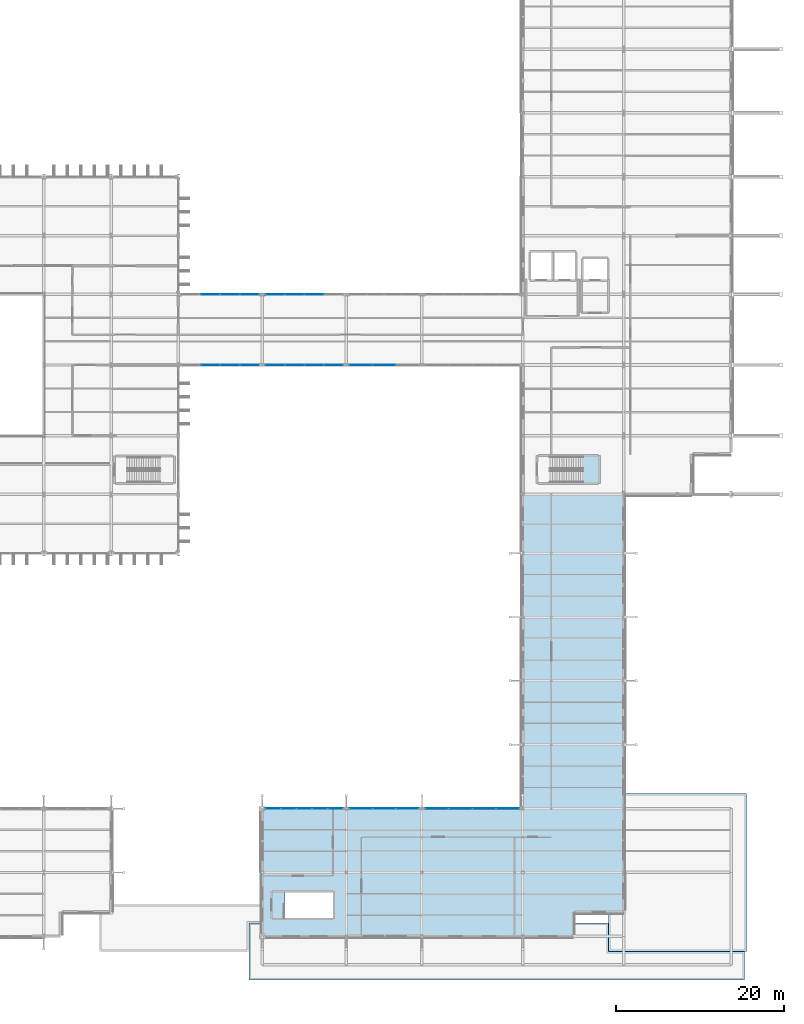
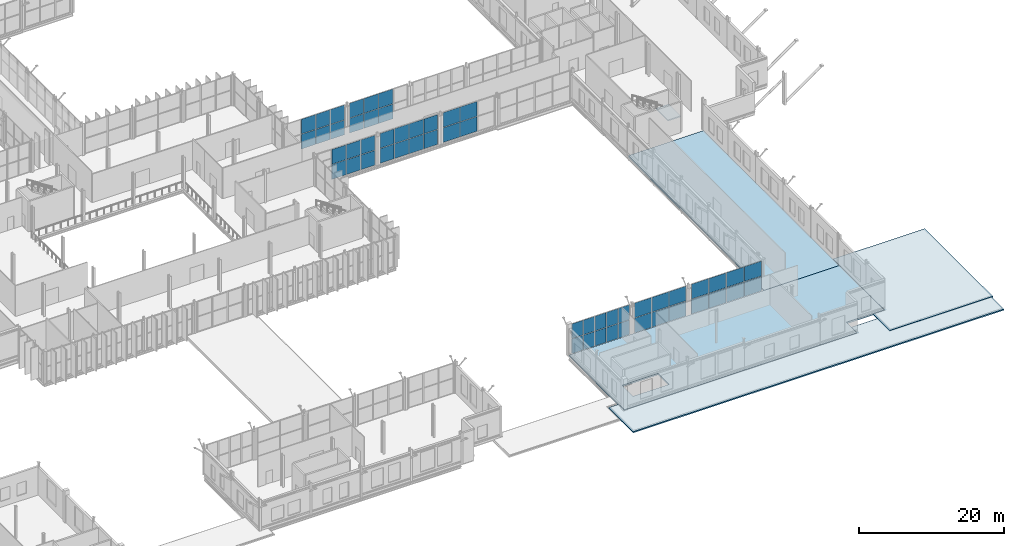
# One storey, part 105 of 147: 54 plates, 5 slabs, 9 elements without a shape of their own.
"""IFC4 building model written with IfcOpenShell, lengths in metres."""

from ifc_helpers import new_model, si_unit, direction, frame, origin, origin_2d, place, context, subcontext, project, spatial, polyline, rectangle, outline, extrude, material, layer, layer_set, type_object, element, aggregate, save


model = new_model("IFC4")

# Units and contexts
model_context = context("Model", 3, precision=1e-05, world=origin(), true_north=direction((0.0, 1.0)))
body_context = subcontext(model_context, "Body", "Model", "MODEL_VIEW")
ifc_project = project(units=[si_unit("LENGTHUNIT", "METRE"), si_unit("AREAUNIT", "SQUARE_METRE"), si_unit("VOLUMEUNIT", "CUBIC_METRE"), si_unit("PLANEANGLEUNIT", "RADIAN"), si_unit("MASSUNIT", "GRAM", prefix="KILO")], contexts=[model_context])

# Site, building, storey
site_placement = place(None, origin())
site = spatial("IfcSite", under=ifc_project, at=site_placement, CompositionType="ELEMENT")
building_placement = place(site_placement, origin())
building = spatial("IfcBuilding", under=site, at=building_placement, Name="Vekula Escarpment Museum", CompositionType="ELEMENT")
storey_placement = place(building_placement, frame((0.0, 0.0, 7.800048828125)))
storey = spatial("IfcBuildingStorey", under=building, at=storey_placement, Name="L02", CompositionType="ELEMENT", Elevation=7.800048828125)

# Curtain wall, plates
ifc_material_1 = material(Name="Aluminium thermally broken framing", Category="aluminium")
ifc_layer_1 = layer(ifc_material_1, 0.199951171875)
ifc_layer_set_1 = layer_set([ifc_layer_1], Name="Aluminium thermally broken framing")
curtain_wall_type_1 = type_object("IfcCurtainWallType", Name="CW-SYS-04", PredefinedType="NOTDEFINED", material=ifc_layer_set_1)
curtain_wall_1_placement = place(storey_placement, origin())
curtain_wall_1 = element("IfcCurtainWall", 1, at=curtain_wall_1_placement, inside=storey, type_object=curtain_wall_type_1, Name="Curtain Wall CW-L02-064", PredefinedType="NOTDEFINED")
ifc_material_2 = material(Name="Double solar-control low-E glass", Category="glass")
ifc_layer_2 = layer(ifc_material_2, 0.028076171875)
ifc_layer_set_2 = layer_set([ifc_layer_2], Name="Double solar-control low-E glass")
plate_type_1 = type_object("IfcPlateType", Name="CW-PNL-28", PredefinedType="CURTAIN_PANEL", material=ifc_layer_set_2)
plate_1_placement = place(storey_placement, frame((137.5361328125, 68.0, 0.06494140625), z_axis=(0.0, 0.0, 1.0), x_axis=(1.0, 0.0, 0.0)))
plate_1 = element("IfcPlate", 2, at=plate_1_placement, type_object=plate_type_1, Name="CW-04 panel 1.1", PredefinedType="CURTAIN_PANEL", context=body_context, shape_type="SweptSolid", body=[
    extrude(rectangle(XDim=2.222412109375, YDim=0.028076171875, at=origin_2d()), origin(), (0.0, 0.0, 1.0), 2.4775390625),
])
plate_2_placement = place(storey_placement, frame((137.5361328125, 68.0, 2.607421875), z_axis=(0.0, 0.0, 1.0), x_axis=(1.0, 0.0, 0.0)))
plate_2 = element("IfcPlate", 3, at=plate_2_placement, type_object=plate_type_1, Name="CW-04 panel 1.2", PredefinedType="CURTAIN_PANEL", context=body_context, shape_type="SweptSolid", body=[
    extrude(rectangle(XDim=2.222412109375, YDim=0.028076171875, at=origin_2d()), origin(), (0.0, 0.0, 1.0), 2.4775390625),
])
plate_3_placement = place(storey_placement, frame((139.840087890625, 68.0, 0.06494140625), z_axis=(0.0, 0.0, 1.0), x_axis=(1.0, 0.0, 0.0)))
plate_3 = element("IfcPlate", 4, at=plate_3_placement, type_object=plate_type_1, Name="CW-04 panel 2.1", PredefinedType="CURTAIN_PANEL", context=body_context, shape_type="SweptSolid", body=[
    extrude(rectangle(XDim=2.2548828125, YDim=0.028076171875, at=origin_2d()), origin(), (0.0, 0.0, 1.0), 2.4775390625),
])
plate_4_placement = place(storey_placement, frame((139.840087890625, 68.0, 2.607421875), z_axis=(0.0, 0.0, 1.0), x_axis=(1.0, 0.0, 0.0)))
plate_4 = element("IfcPlate", 5, at=plate_4_placement, type_object=plate_type_1, Name="CW-04 panel 2.2", PredefinedType="CURTAIN_PANEL", context=body_context, shape_type="SweptSolid", body=[
    extrude(rectangle(XDim=2.2548828125, YDim=0.028076171875, at=origin_2d()), origin(), (0.0, 0.0, 1.0), 2.4775390625),
])
plate_5_placement = place(storey_placement, frame((142.159912109375, 68.0, 0.06494140625), z_axis=(0.0, 0.0, 1.0), x_axis=(1.0, 0.0, 0.0)))
plate_5 = element("IfcPlate", 6, at=plate_5_placement, type_object=plate_type_1, Name="CW-04 panel 3.1", PredefinedType="CURTAIN_PANEL", context=body_context, shape_type="SweptSolid", body=[
    extrude(rectangle(XDim=2.2548828125, YDim=0.028076171875, at=origin_2d()), origin(), (0.0, 0.0, 1.0), 2.4775390625),
])
plate_6_placement = place(storey_placement, frame((142.159912109375, 68.0, 2.607421875), z_axis=(0.0, 0.0, 1.0), x_axis=(1.0, 0.0, 0.0)))
plate_6 = element("IfcPlate", 7, at=plate_6_placement, type_object=plate_type_1, Name="CW-04 panel 3.2", PredefinedType="CURTAIN_PANEL", context=body_context, shape_type="SweptSolid", body=[
    extrude(rectangle(XDim=2.2548828125, YDim=0.028076171875, at=origin_2d()), origin(), (0.0, 0.0, 1.0), 2.4775390625),
])
plate_7_placement = place(storey_placement, frame((144.4638671875, 68.0, 0.06494140625), z_axis=(0.0, 0.0, 1.0), x_axis=(1.0, 0.0, 0.0)))
plate_7 = element("IfcPlate", 8, at=plate_7_placement, type_object=plate_type_1, Name="CW-04 panel 4.1", PredefinedType="CURTAIN_PANEL", context=body_context, shape_type="SweptSolid", body=[
    extrude(rectangle(XDim=2.222412109375, YDim=0.028076171875, at=origin_2d()), origin(), (0.0, 0.0, 1.0), 2.4775390625),
])
plate_8_placement = place(storey_placement, frame((144.4638671875, 68.0, 2.607421875), z_axis=(0.0, 0.0, 1.0), x_axis=(1.0, 0.0, 0.0)))
plate_8 = element("IfcPlate", 9, at=plate_8_placement, type_object=plate_type_1, Name="CW-04 panel 4.2", PredefinedType="CURTAIN_PANEL", context=body_context, shape_type="SweptSolid", body=[
    extrude(rectangle(XDim=2.222412109375, YDim=0.028076171875, at=origin_2d()), origin(), (0.0, 0.0, 1.0), 2.4775390625),
])
aggregate(curtain_wall_1, [plate_1, plate_2, plate_3, plate_4, plate_5, plate_6, plate_7, plate_8])

ifc_material_3 = material(Name="Aluminium thermally broken framing", Category="aluminium")
ifc_layer_3 = layer(ifc_material_3, 0.179931640625)
ifc_layer_set_3 = layer_set([ifc_layer_3], Name="Aluminium thermally broken framing")
curtain_wall_type_2 = type_object("IfcCurtainWallType", Name="CW-SYS-08", PredefinedType="NOTDEFINED", material=ifc_layer_set_3)
curtain_wall_2_placement = place(storey_placement, origin())
curtain_wall_2 = element("IfcCurtainWall", 10, at=curtain_wall_2_placement, inside=storey, type_object=curtain_wall_type_2, Name="Curtain Wall CW-L02-068", PredefinedType="NOTDEFINED")
plate_9_placement = place(storey_placement, frame((153.24365234375, 15.199951171875, 0.06494140625), z_axis=(0.0, 0.0, 1.0), x_axis=(-1.0, 0.0, 0.0)))
plate_9 = element("IfcPlate", 11, at=plate_9_placement, type_object=plate_type_1, Name="CW-08 panel 1.1", PredefinedType="CURTAIN_PANEL", context=body_context, shape_type="SweptSolid", body=[
    extrude(rectangle(XDim=2.66259765625, YDim=0.028076171875, at=origin_2d()), origin(), (0.0, 0.0, 1.0), 2.4775390625),
])
plate_10_placement = place(storey_placement, frame((153.24365234375, 15.199951171875, 2.607421875), z_axis=(0.0, 0.0, 1.0), x_axis=(-1.0, 0.0, 0.0)))
plate_10 = element("IfcPlate", 12, at=plate_10_placement, type_object=plate_type_1, Name="CW-08 panel 1.2", PredefinedType="CURTAIN_PANEL", context=body_context, shape_type="SweptSolid", body=[
    extrude(rectangle(XDim=2.66259765625, YDim=0.028076171875, at=origin_2d()), origin(), (0.0, 0.0, 1.0), 2.4775390625),
])
plate_11_placement = place(storey_placement, frame((150.5, 15.199951171875, 0.06494140625), z_axis=(0.0, 0.0, 1.0), x_axis=(-1.0, 0.0, 0.0)))
plate_11 = element("IfcPlate", 13, at=plate_11_placement, type_object=plate_type_1, Name="CW-08 panel 2.1", PredefinedType="CURTAIN_PANEL", context=body_context, shape_type="SweptSolid", body=[
    extrude(rectangle(XDim=2.695068359375, YDim=0.028076171875, at=origin_2d()), origin(), (0.0, 0.0, 1.0), 2.4775390625),
])
plate_12_placement = place(storey_placement, frame((150.5, 15.199951171875, 2.607421875), z_axis=(0.0, 0.0, 1.0), x_axis=(-1.0, 0.0, 0.0)))
plate_12 = element("IfcPlate", 14, at=plate_12_placement, type_object=plate_type_1, Name="CW-08 panel 2.2", PredefinedType="CURTAIN_PANEL", context=body_context, shape_type="SweptSolid", body=[
    extrude(rectangle(XDim=2.695068359375, YDim=0.028076171875, at=origin_2d()), origin(), (0.0, 0.0, 1.0), 2.4775390625),
])
plate_13_placement = place(storey_placement, frame((147.75634765625, 15.199951171875, 0.06494140625), z_axis=(0.0, 0.0, 1.0), x_axis=(-1.0, 0.0, 0.0)))
plate_13 = element("IfcPlate", 15, at=plate_13_placement, type_object=plate_type_1, Name="CW-08 panel 3.1", PredefinedType="CURTAIN_PANEL", context=body_context, shape_type="SweptSolid", body=[
    extrude(rectangle(XDim=2.66259765625, YDim=0.028076171875, at=origin_2d()), origin(), (0.0, 0.0, 1.0), 2.4775390625),
])
plate_14_placement = place(storey_placement, frame((147.75634765625, 15.199951171875, 2.607421875), z_axis=(0.0, 0.0, 1.0), x_axis=(-1.0, 0.0, 0.0)))
plate_14 = element("IfcPlate", 16, at=plate_14_placement, type_object=plate_type_1, Name="CW-08 panel 3.2", PredefinedType="CURTAIN_PANEL", context=body_context, shape_type="SweptSolid", body=[
    extrude(rectangle(XDim=2.66259765625, YDim=0.028076171875, at=origin_2d()), origin(), (0.0, 0.0, 1.0), 2.4775390625),
])
aggregate(curtain_wall_2, [plate_9, plate_10, plate_11, plate_12, plate_13, plate_14])

ifc_material_4 = material(Name="Aluminium thermally broken framing", Category="aluminium")
ifc_layer_4 = layer(ifc_material_4, 0.159912109375)
ifc_layer_set_4 = layer_set([ifc_layer_4], Name="Aluminium thermally broken framing")
curtain_wall_type_3 = type_object("IfcCurtainWallType", Name="CW-SYS-02", PredefinedType="NOTDEFINED", material=ifc_layer_set_4)
curtain_wall_3_placement = place(storey_placement, origin())
curtain_wall_3 = element("IfcCurtainWall", 17, at=curtain_wall_3_placement, inside=storey, type_object=curtain_wall_type_3, Name="Curtain Wall CW-L02-072", PredefinedType="NOTDEFINED")
plate_15_placement = place(storey_placement, frame((142.159912109375, 76.39990234375, 0.06494140625), z_axis=(0.0, 0.0, 1.0), x_axis=(-1.0, 0.0, 0.0)))
plate_15 = element("IfcPlate", 18, at=plate_15_placement, type_object=plate_type_1, Name="CW-02 panel 2.1", PredefinedType="CURTAIN_PANEL", context=body_context, shape_type="SweptSolid", body=[
    extrude(rectangle(XDim=2.2548828125, YDim=0.028076171875, at=origin_2d()), origin(), (0.0, 0.0, 1.0), 2.4775390625),
])
plate_16_placement = place(storey_placement, frame((142.159912109375, 76.39990234375, 2.607421875), z_axis=(0.0, 0.0, 1.0), x_axis=(-1.0, 0.0, 0.0)))
plate_16 = element("IfcPlate", 19, at=plate_16_placement, type_object=plate_type_1, Name="CW-02 panel 2.2", PredefinedType="CURTAIN_PANEL", context=body_context, shape_type="SweptSolid", body=[
    extrude(rectangle(XDim=2.2548828125, YDim=0.028076171875, at=origin_2d()), origin(), (0.0, 0.0, 1.0), 2.4775390625),
])
plate_17_placement = place(storey_placement, frame((139.840087890625, 76.39990234375, 0.06494140625), z_axis=(0.0, 0.0, 1.0), x_axis=(-1.0, 0.0, 0.0)))
plate_17 = element("IfcPlate", 20, at=plate_17_placement, type_object=plate_type_1, Name="CW-02 panel 3.1", PredefinedType="CURTAIN_PANEL", context=body_context, shape_type="SweptSolid", body=[
    extrude(rectangle(XDim=2.2548828125, YDim=0.028076171875, at=origin_2d()), origin(), (0.0, 0.0, 1.0), 2.4775390625),
])
plate_18_placement = place(storey_placement, frame((139.840087890625, 76.39990234375, 2.607421875), z_axis=(0.0, 0.0, 1.0), x_axis=(-1.0, 0.0, 0.0)))
plate_18 = element("IfcPlate", 21, at=plate_18_placement, type_object=plate_type_1, Name="CW-02 panel 3.2", PredefinedType="CURTAIN_PANEL", context=body_context, shape_type="SweptSolid", body=[
    extrude(rectangle(XDim=2.2548828125, YDim=0.028076171875, at=origin_2d()), origin(), (0.0, 0.0, 1.0), 2.4775390625),
])
plate_19_placement = place(storey_placement, frame((137.5361328125, 76.39990234375, 0.06494140625), z_axis=(0.0, 0.0, 1.0), x_axis=(-1.0, 0.0, 0.0)))
plate_19 = element("IfcPlate", 22, at=plate_19_placement, type_object=plate_type_1, Name="CW-02 panel 4.1", PredefinedType="CURTAIN_PANEL", context=body_context, shape_type="SweptSolid", body=[
    extrude(rectangle(XDim=2.222412109375, YDim=0.028076171875, at=origin_2d()), origin(), (0.0, 0.0, 1.0), 2.4775390625),
])
plate_20_placement = place(storey_placement, frame((137.5361328125, 76.39990234375, 2.607421875), z_axis=(0.0, 0.0, 1.0), x_axis=(-1.0, 0.0, 0.0)))
plate_20 = element("IfcPlate", 23, at=plate_20_placement, type_object=plate_type_1, Name="CW-02 panel 4.2", PredefinedType="CURTAIN_PANEL", context=body_context, shape_type="SweptSolid", body=[
    extrude(rectangle(XDim=2.222412109375, YDim=0.028076171875, at=origin_2d()), origin(), (0.0, 0.0, 1.0), 2.4775390625),
])
aggregate(curtain_wall_3, [plate_15, plate_16, plate_17, plate_18, plate_19, plate_20])

ifc_material_5 = material(Name="Aluminium thermally broken framing", Category="aluminium")
ifc_layer_5 = layer(ifc_material_5, 0.159912109375)
ifc_layer_set_5 = layer_set([ifc_layer_5], Name="Aluminium thermally broken framing")
curtain_wall_type_4 = type_object("IfcCurtainWallType", Name="CW-SYS-05", PredefinedType="NOTDEFINED", material=ifc_layer_set_5)
curtain_wall_4_placement = place(storey_placement, origin())
curtain_wall_4 = element("IfcCurtainWall", 24, at=curtain_wall_4_placement, inside=storey, type_object=curtain_wall_type_4, Name="Curtain Wall CW-L02-065", PredefinedType="NOTDEFINED")
ifc_material_6 = material(Name="Acoustic laminated double low-E glass", Category="glass")
ifc_layer_6 = layer(ifc_material_6, 0.031982421875)
ifc_layer_set_6 = layer_set([ifc_layer_6], Name="Acoustic laminated double low-E glass")
plate_type_2 = type_object("IfcPlateType", Name="CW-PNL-32", PredefinedType="CURTAIN_PANEL", material=ifc_layer_set_6)
plate_21_placement = place(storey_placement, frame((147.75634765625, 68.0, 0.06494140625), z_axis=(0.0, 0.0, 1.0), x_axis=(1.0, 0.0, 0.0)))
plate_21 = element("IfcPlate", 25, at=plate_21_placement, type_object=plate_type_2, Name="CW-05 panel 1.1", PredefinedType="CURTAIN_PANEL", context=body_context, shape_type="SweptSolid", body=[
    extrude(rectangle(XDim=2.66259765625, YDim=0.031982421875, at=origin_2d()), origin(), (0.0, 0.0, 1.0), 2.4775390625),
])
plate_22_placement = place(storey_placement, frame((147.75634765625, 68.0, 2.607421875), z_axis=(0.0, 0.0, 1.0), x_axis=(1.0, 0.0, 0.0)))
plate_22 = element("IfcPlate", 26, at=plate_22_placement, type_object=plate_type_2, Name="CW-05 panel 1.2", PredefinedType="CURTAIN_PANEL", context=body_context, shape_type="SweptSolid", body=[
    extrude(rectangle(XDim=2.66259765625, YDim=0.031982421875, at=origin_2d()), origin(), (0.0, 0.0, 1.0), 2.4775390625),
])
plate_23_placement = place(storey_placement, frame((150.5, 68.0, 0.06494140625), z_axis=(0.0, 0.0, 1.0), x_axis=(1.0, 0.0, 0.0)))
plate_23 = element("IfcPlate", 27, at=plate_23_placement, type_object=plate_type_2, Name="CW-05 panel 2.1", PredefinedType="CURTAIN_PANEL", context=body_context, shape_type="SweptSolid", body=[
    extrude(rectangle(XDim=2.695068359375, YDim=0.031982421875, at=origin_2d()), origin(), (0.0, 0.0, 1.0), 2.4775390625),
])
plate_24_placement = place(storey_placement, frame((150.5, 68.0, 2.607421875), z_axis=(0.0, 0.0, 1.0), x_axis=(1.0, 0.0, 0.0)))
plate_24 = element("IfcPlate", 28, at=plate_24_placement, type_object=plate_type_2, Name="CW-05 panel 2.2", PredefinedType="CURTAIN_PANEL", context=body_context, shape_type="SweptSolid", body=[
    extrude(rectangle(XDim=2.695068359375, YDim=0.031982421875, at=origin_2d()), origin(), (0.0, 0.0, 1.0), 2.4775390625),
])
aggregate(curtain_wall_4, [plate_21, plate_22, plate_23, plate_24])

ifc_material_7 = material(Name="Aluminium thermally broken framing", Category="aluminium")
ifc_layer_7 = layer(ifc_material_7, 0.14990234375)
ifc_layer_set_7 = layer_set([ifc_layer_7], Name="Aluminium thermally broken framing")
curtain_wall_type_5 = type_object("IfcCurtainWallType", Name="CW-SYS-09", PredefinedType="NOTDEFINED", material=ifc_layer_set_7)
curtain_wall_5_placement = place(storey_placement, origin())
curtain_wall_5 = element("IfcCurtainWall", 29, at=curtain_wall_5_placement, inside=storey, type_object=curtain_wall_type_5, Name="Curtain Wall CW-L02-069", PredefinedType="NOTDEFINED")
plate_25_placement = place(storey_placement, frame((144.69580078125, 15.199951171875, 0.06494140625), z_axis=(0.0, 0.0, 1.0), x_axis=(-1.0, 0.0, 0.0)))
plate_25 = element("IfcPlate", 30, at=plate_25_placement, type_object=plate_type_2, Name="CW-09 panel 1.1", PredefinedType="CURTAIN_PANEL", context=body_context, shape_type="SweptSolid", body=[
    extrude(rectangle(XDim=1.758544921875, YDim=0.031982421875, at=origin_2d()), origin(), (0.0, 0.0, 1.0), 2.4775390625),
])
plate_26_placement = place(storey_placement, frame((144.69580078125, 15.199951171875, 2.607421875), z_axis=(0.0, 0.0, 1.0), x_axis=(-1.0, 0.0, 0.0)))
plate_26 = element("IfcPlate", 31, at=plate_26_placement, type_object=plate_type_2, Name="CW-09 panel 1.2", PredefinedType="CURTAIN_PANEL", context=body_context, shape_type="SweptSolid", body=[
    extrude(rectangle(XDim=1.758544921875, YDim=0.031982421875, at=origin_2d()), origin(), (0.0, 0.0, 1.0), 2.4775390625),
])
plate_27_placement = place(storey_placement, frame((142.85595703125, 15.199951171875, 0.06494140625), z_axis=(0.0, 0.0, 1.0), x_axis=(-1.0, 0.0, 0.0)))
plate_27 = element("IfcPlate", 32, at=plate_27_placement, type_object=plate_type_2, Name="CW-09 panel 2.1", PredefinedType="CURTAIN_PANEL", context=body_context, shape_type="SweptSolid", body=[
    extrude(rectangle(XDim=1.791015625, YDim=0.031982421875, at=origin_2d()), origin(), (0.0, 0.0, 1.0), 2.4775390625),
])
plate_28_placement = place(storey_placement, frame((142.85595703125, 15.199951171875, 2.607421875), z_axis=(0.0, 0.0, 1.0), x_axis=(-1.0, 0.0, 0.0)))
plate_28 = element("IfcPlate", 33, at=plate_28_placement, type_object=plate_type_2, Name="CW-09 panel 2.2", PredefinedType="CURTAIN_PANEL", context=body_context, shape_type="SweptSolid", body=[
    extrude(rectangle(XDim=1.791015625, YDim=0.031982421875, at=origin_2d()), origin(), (0.0, 0.0, 1.0), 2.4775390625),
])
plate_29_placement = place(storey_placement, frame((141.0, 15.199951171875, 0.06494140625), z_axis=(0.0, 0.0, 1.0), x_axis=(-1.0, 0.0, 0.0)))
plate_29 = element("IfcPlate", 34, at=plate_29_placement, type_object=plate_type_2, Name="CW-09 panel 3.1", PredefinedType="CURTAIN_PANEL", context=body_context, shape_type="SweptSolid", body=[
    extrude(rectangle(XDim=1.791015625, YDim=0.031982421875, at=origin_2d()), origin(), (0.0, 0.0, 1.0), 2.4775390625),
])
plate_30_placement = place(storey_placement, frame((141.0, 15.199951171875, 2.607421875), z_axis=(0.0, 0.0, 1.0), x_axis=(-1.0, 0.0, 0.0)))
plate_30 = element("IfcPlate", 35, at=plate_30_placement, type_object=plate_type_2, Name="CW-09 panel 3.2", PredefinedType="CURTAIN_PANEL", context=body_context, shape_type="SweptSolid", body=[
    extrude(rectangle(XDim=1.791015625, YDim=0.031982421875, at=origin_2d()), origin(), (0.0, 0.0, 1.0), 2.4775390625),
])
plate_31_placement = place(storey_placement, frame((139.14404296875, 15.199951171875, 0.06494140625), z_axis=(0.0, 0.0, 1.0), x_axis=(-1.0, 0.0, 0.0)))
plate_31 = element("IfcPlate", 36, at=plate_31_placement, type_object=plate_type_2, Name="CW-09 panel 4.1", PredefinedType="CURTAIN_PANEL", context=body_context, shape_type="SweptSolid", body=[
    extrude(rectangle(XDim=1.791015625, YDim=0.031982421875, at=origin_2d()), origin(), (0.0, 0.0, 1.0), 2.4775390625),
])
plate_32_placement = place(storey_placement, frame((139.14404296875, 15.199951171875, 2.607421875), z_axis=(0.0, 0.0, 1.0), x_axis=(-1.0, 0.0, 0.0)))
plate_32 = element("IfcPlate", 37, at=plate_32_placement, type_object=plate_type_2, Name="CW-09 panel 4.2", PredefinedType="CURTAIN_PANEL", context=body_context, shape_type="SweptSolid", body=[
    extrude(rectangle(XDim=1.791015625, YDim=0.031982421875, at=origin_2d()), origin(), (0.0, 0.0, 1.0), 2.4775390625),
])
plate_33_placement = place(storey_placement, frame((137.30419921875, 15.199951171875, 0.06494140625), z_axis=(0.0, 0.0, 1.0), x_axis=(-1.0, 0.0, 0.0)))
plate_33 = element("IfcPlate", 38, at=plate_33_placement, type_object=plate_type_2, Name="CW-09 panel 5.1", PredefinedType="CURTAIN_PANEL", context=body_context, shape_type="SweptSolid", body=[
    extrude(rectangle(XDim=1.758544921875, YDim=0.031982421875, at=origin_2d()), origin(), (0.0, 0.0, 1.0), 2.4775390625),
])
plate_34_placement = place(storey_placement, frame((137.30419921875, 15.199951171875, 2.607421875), z_axis=(0.0, 0.0, 1.0), x_axis=(-1.0, 0.0, 0.0)))
plate_34 = element("IfcPlate", 39, at=plate_34_placement, type_object=plate_type_2, Name="CW-09 panel 5.2", PredefinedType="CURTAIN_PANEL", context=body_context, shape_type="SweptSolid", body=[
    extrude(rectangle(XDim=1.758544921875, YDim=0.031982421875, at=origin_2d()), origin(), (0.0, 0.0, 1.0), 2.4775390625),
])
aggregate(curtain_wall_5, [plate_25, plate_26, plate_27, plate_28, plate_29, plate_30, plate_31, plate_32, plate_33, plate_34])

ifc_material_8 = material(Name="Aluminium thermally broken framing", Category="aluminium")
ifc_layer_8 = layer(ifc_material_8, 0.199951171875)
ifc_layer_set_8 = layer_set([ifc_layer_8], Name="Aluminium thermally broken framing")
curtain_wall_type_6 = type_object("IfcCurtainWallType", Name="CW-SYS-03", PredefinedType="NOTDEFINED", material=ifc_layer_set_8)
curtain_wall_6_placement = place(storey_placement, origin())
curtain_wall_6 = element("IfcCurtainWall", 40, at=curtain_wall_6_placement, inside=storey, type_object=curtain_wall_type_6, Name="Curtain Wall CW-L02-073", PredefinedType="NOTDEFINED")
plate_35_placement = place(storey_placement, frame((134.4638671875, 76.39990234375, 0.06494140625), z_axis=(0.0, 0.0, 1.0), x_axis=(-1.0, 0.0, 0.0)))
plate_35 = element("IfcPlate", 41, at=plate_35_placement, type_object=plate_type_2, Name="CW-03 panel 1.1", PredefinedType="CURTAIN_PANEL", context=body_context, shape_type="SweptSolid", body=[
    extrude(rectangle(XDim=2.222412109375, YDim=0.031982421875, at=origin_2d()), origin(), (0.0, 0.0, 1.0), 2.4775390625),
])
plate_36_placement = place(storey_placement, frame((134.4638671875, 76.39990234375, 2.607421875), z_axis=(0.0, 0.0, 1.0), x_axis=(-1.0, 0.0, 0.0)))
plate_36 = element("IfcPlate", 42, at=plate_36_placement, type_object=plate_type_2, Name="CW-03 panel 1.2", PredefinedType="CURTAIN_PANEL", context=body_context, shape_type="SweptSolid", body=[
    extrude(rectangle(XDim=2.222412109375, YDim=0.031982421875, at=origin_2d()), origin(), (0.0, 0.0, 1.0), 2.4775390625),
])
plate_37_placement = place(storey_placement, frame((132.159912109375, 76.39990234375, 0.06494140625), z_axis=(0.0, 0.0, 1.0), x_axis=(-1.0, 0.0, 0.0)))
plate_37 = element("IfcPlate", 43, at=plate_37_placement, type_object=plate_type_2, Name="CW-03 panel 2.1", PredefinedType="CURTAIN_PANEL", context=body_context, shape_type="SweptSolid", body=[
    extrude(rectangle(XDim=2.2548828125, YDim=0.031982421875, at=origin_2d()), origin(), (0.0, 0.0, 1.0), 2.4775390625),
])
plate_38_placement = place(storey_placement, frame((132.159912109375, 76.39990234375, 2.607421875), z_axis=(0.0, 0.0, 1.0), x_axis=(-1.0, 0.0, 0.0)))
plate_38 = element("IfcPlate", 44, at=plate_38_placement, type_object=plate_type_2, Name="CW-03 panel 2.2", PredefinedType="CURTAIN_PANEL", context=body_context, shape_type="SweptSolid", body=[
    extrude(rectangle(XDim=2.2548828125, YDim=0.031982421875, at=origin_2d()), origin(), (0.0, 0.0, 1.0), 2.4775390625),
])
plate_39_placement = place(storey_placement, frame((129.840087890625, 76.39990234375, 0.06494140625), z_axis=(0.0, 0.0, 1.0), x_axis=(-1.0, 0.0, 0.0)))
plate_39 = element("IfcPlate", 45, at=plate_39_placement, type_object=plate_type_2, Name="CW-03 panel 3.1", PredefinedType="CURTAIN_PANEL", context=body_context, shape_type="SweptSolid", body=[
    extrude(rectangle(XDim=2.2548828125, YDim=0.031982421875, at=origin_2d()), origin(), (0.0, 0.0, 1.0), 2.4775390625),
])
plate_40_placement = place(storey_placement, frame((129.840087890625, 76.39990234375, 2.607421875), z_axis=(0.0, 0.0, 1.0), x_axis=(-1.0, 0.0, 0.0)))
plate_40 = element("IfcPlate", 46, at=plate_40_placement, type_object=plate_type_2, Name="CW-03 panel 3.2", PredefinedType="CURTAIN_PANEL", context=body_context, shape_type="SweptSolid", body=[
    extrude(rectangle(XDim=2.2548828125, YDim=0.031982421875, at=origin_2d()), origin(), (0.0, 0.0, 1.0), 2.4775390625),
])
aggregate(curtain_wall_6, [plate_35, plate_36, plate_37, plate_38, plate_39, plate_40])

curtain_wall_7_placement = place(storey_placement, origin())
curtain_wall_7 = element("IfcCurtainWall", 47, at=curtain_wall_7_placement, inside=storey, type_object=curtain_wall_type_6, Name="Curtain Wall CW-L02-063", PredefinedType="NOTDEFINED")
ifc_material_9 = material(Name="Insulated bronze spandrel glass panel", Category="glass")
ifc_layer_9 = layer(ifc_material_9, 0.0400390625)
ifc_layer_set_9 = layer_set([ifc_layer_9], Name="Insulated bronze spandrel glass panel")
plate_type_3 = type_object("IfcPlateType", Name="CW-PNL-40", PredefinedType="CURTAIN_PANEL", material=ifc_layer_set_9)
plate_41_placement = place(storey_placement, frame((129.840087890625, 68.0, 0.06494140625), z_axis=(0.0, 0.0, 1.0), x_axis=(1.0, 0.0, 0.0)))
plate_41 = element("IfcPlate", 48, at=plate_41_placement, type_object=plate_type_3, Name="CW-03 panel 2.1", PredefinedType="CURTAIN_PANEL", context=body_context, shape_type="SweptSolid", body=[
    extrude(rectangle(XDim=2.2548828125, YDim=0.0400390625, at=origin_2d()), origin(), (0.0, 0.0, 1.0), 2.4775390625),
])
plate_42_placement = place(storey_placement, frame((129.840087890625, 68.0, 2.607421875), z_axis=(0.0, 0.0, 1.0), x_axis=(1.0, 0.0, 0.0)))
plate_42 = element("IfcPlate", 49, at=plate_42_placement, type_object=plate_type_3, Name="CW-03 panel 2.2", PredefinedType="CURTAIN_PANEL", context=body_context, shape_type="SweptSolid", body=[
    extrude(rectangle(XDim=2.2548828125, YDim=0.0400390625, at=origin_2d()), origin(), (0.0, 0.0, 1.0), 2.4775390625),
])
plate_43_placement = place(storey_placement, frame((132.159912109375, 68.0, 0.06494140625), z_axis=(0.0, 0.0, 1.0), x_axis=(1.0, 0.0, 0.0)))
plate_43 = element("IfcPlate", 50, at=plate_43_placement, type_object=plate_type_3, Name="CW-03 panel 3.1", PredefinedType="CURTAIN_PANEL", context=body_context, shape_type="SweptSolid", body=[
    extrude(rectangle(XDim=2.2548828125, YDim=0.0400390625, at=origin_2d()), origin(), (0.0, 0.0, 1.0), 2.4775390625),
])
plate_44_placement = place(storey_placement, frame((132.159912109375, 68.0, 2.607421875), z_axis=(0.0, 0.0, 1.0), x_axis=(1.0, 0.0, 0.0)))
plate_44 = element("IfcPlate", 51, at=plate_44_placement, type_object=plate_type_3, Name="CW-03 panel 3.2", PredefinedType="CURTAIN_PANEL", context=body_context, shape_type="SweptSolid", body=[
    extrude(rectangle(XDim=2.2548828125, YDim=0.0400390625, at=origin_2d()), origin(), (0.0, 0.0, 1.0), 2.4775390625),
])
plate_45_placement = place(storey_placement, frame((134.4638671875, 68.0, 0.06494140625), z_axis=(0.0, 0.0, 1.0), x_axis=(1.0, 0.0, 0.0)))
plate_45 = element("IfcPlate", 52, at=plate_45_placement, type_object=plate_type_3, Name="CW-03 panel 4.1", PredefinedType="CURTAIN_PANEL", context=body_context, shape_type="SweptSolid", body=[
    extrude(rectangle(XDim=2.222412109375, YDim=0.0400390625, at=origin_2d()), origin(), (0.0, 0.0, 1.0), 2.4775390625),
])
plate_46_placement = place(storey_placement, frame((134.4638671875, 68.0, 2.607421875), z_axis=(0.0, 0.0, 1.0), x_axis=(1.0, 0.0, 0.0)))
plate_46 = element("IfcPlate", 53, at=plate_46_placement, type_object=plate_type_3, Name="CW-03 panel 4.2", PredefinedType="CURTAIN_PANEL", context=body_context, shape_type="SweptSolid", body=[
    extrude(rectangle(XDim=2.222412109375, YDim=0.0400390625, at=origin_2d()), origin(), (0.0, 0.0, 1.0), 2.4775390625),
])
aggregate(curtain_wall_7, [plate_41, plate_42, plate_43, plate_44, plate_45, plate_46])

ifc_material_10 = material(Name="Aluminium thermally broken framing", Category="aluminium")
ifc_layer_10 = layer(ifc_material_10, 0.179931640625)
ifc_layer_set_10 = layer_set([ifc_layer_10], Name="Aluminium thermally broken framing")
curtain_wall_type_7 = type_object("IfcCurtainWallType", Name="CW-SYS-07", PredefinedType="NOTDEFINED", material=ifc_layer_set_10)
curtain_wall_8_placement = place(storey_placement, origin())
curtain_wall_8 = element("IfcCurtainWall", 54, at=curtain_wall_8_placement, inside=storey, type_object=curtain_wall_type_7, Name="Curtain Wall CW-L02-067", PredefinedType="NOTDEFINED")
plate_47_placement = place(storey_placement, frame((165.2138671875, 15.199951171875, 0.06494140625), z_axis=(0.0, 0.0, 1.0), x_axis=(-1.0, 0.0, 0.0)))
plate_47 = element("IfcPlate", 55, at=plate_47_placement, type_object=plate_type_3, Name="CW-07 panel 1.1", PredefinedType="CURTAIN_PANEL", context=body_context, shape_type="SweptSolid", body=[
    extrude(rectangle(XDim=2.722412109375, YDim=0.0400390625, at=origin_2d()), origin(), (0.0, 0.0, 1.0), 2.4775390625),
])
plate_48_placement = place(storey_placement, frame((165.2138671875, 15.199951171875, 2.607421875), z_axis=(0.0, 0.0, 1.0), x_axis=(-1.0, 0.0, 0.0)))
plate_48 = element("IfcPlate", 56, at=plate_48_placement, type_object=plate_type_3, Name="CW-07 panel 1.2", PredefinedType="CURTAIN_PANEL", context=body_context, shape_type="SweptSolid", body=[
    extrude(rectangle(XDim=2.722412109375, YDim=0.0400390625, at=origin_2d()), origin(), (0.0, 0.0, 1.0), 2.4775390625),
])
plate_49_placement = place(storey_placement, frame((162.409912109375, 15.199951171875, 0.06494140625), z_axis=(0.0, 0.0, 1.0), x_axis=(-1.0, 0.0, 0.0)))
plate_49 = element("IfcPlate", 57, at=plate_49_placement, type_object=plate_type_3, Name="CW-07 panel 2.1", PredefinedType="CURTAIN_PANEL", context=body_context, shape_type="SweptSolid", body=[
    extrude(rectangle(XDim=2.7548828125, YDim=0.0400390625, at=origin_2d()), origin(), (0.0, 0.0, 1.0), 2.4775390625),
])
plate_50_placement = place(storey_placement, frame((162.409912109375, 15.199951171875, 2.607421875), z_axis=(0.0, 0.0, 1.0), x_axis=(-1.0, 0.0, 0.0)))
plate_50 = element("IfcPlate", 58, at=plate_50_placement, type_object=plate_type_3, Name="CW-07 panel 2.2", PredefinedType="CURTAIN_PANEL", context=body_context, shape_type="SweptSolid", body=[
    extrude(rectangle(XDim=2.7548828125, YDim=0.0400390625, at=origin_2d()), origin(), (0.0, 0.0, 1.0), 2.4775390625),
])
plate_51_placement = place(storey_placement, frame((159.590087890625, 15.199951171875, 0.06494140625), z_axis=(0.0, 0.0, 1.0), x_axis=(-1.0, 0.0, 0.0)))
plate_51 = element("IfcPlate", 59, at=plate_51_placement, type_object=plate_type_3, Name="CW-07 panel 3.1", PredefinedType="CURTAIN_PANEL", context=body_context, shape_type="SweptSolid", body=[
    extrude(rectangle(XDim=2.7548828125, YDim=0.0400390625, at=origin_2d()), origin(), (0.0, 0.0, 1.0), 2.4775390625),
])
plate_52_placement = place(storey_placement, frame((159.590087890625, 15.199951171875, 2.607421875), z_axis=(0.0, 0.0, 1.0), x_axis=(-1.0, 0.0, 0.0)))
plate_52 = element("IfcPlate", 60, at=plate_52_placement, type_object=plate_type_3, Name="CW-07 panel 3.2", PredefinedType="CURTAIN_PANEL", context=body_context, shape_type="SweptSolid", body=[
    extrude(rectangle(XDim=2.7548828125, YDim=0.0400390625, at=origin_2d()), origin(), (0.0, 0.0, 1.0), 2.4775390625),
])
plate_53_placement = place(storey_placement, frame((156.7861328125, 15.199951171875, 0.06494140625), z_axis=(0.0, 0.0, 1.0), x_axis=(-1.0, 0.0, 0.0)))
plate_53 = element("IfcPlate", 61, at=plate_53_placement, type_object=plate_type_3, Name="CW-07 panel 4.1", PredefinedType="CURTAIN_PANEL", context=body_context, shape_type="SweptSolid", body=[
    extrude(rectangle(XDim=2.722412109375, YDim=0.0400390625, at=origin_2d()), origin(), (0.0, 0.0, 1.0), 2.4775390625),
])
plate_54_placement = place(storey_placement, frame((156.7861328125, 15.199951171875, 2.607421875), z_axis=(0.0, 0.0, 1.0), x_axis=(-1.0, 0.0, 0.0)))
plate_54 = element("IfcPlate", 62, at=plate_54_placement, type_object=plate_type_3, Name="CW-07 panel 4.2", PredefinedType="CURTAIN_PANEL", context=body_context, shape_type="SweptSolid", body=[
    extrude(rectangle(XDim=2.722412109375, YDim=0.0400390625, at=origin_2d()), origin(), (0.0, 0.0, 1.0), 2.4775390625),
])
aggregate(curtain_wall_8, [plate_47, plate_48, plate_49, plate_50, plate_51, plate_52, plate_53, plate_54])

# Slabs
ifc_material_11 = material(Name="Concrete C35/45", Category="concrete")
ifc_layer_11 = layer(ifc_material_11, 0.260009765625)
ifc_layer_set_11 = layer_set([ifc_layer_11], Name="Concrete C35/45")
slab_type_1 = type_object("IfcSlabType", Name="SL-FLR-260", PredefinedType="FLOOR", material=ifc_layer_set_11)
slab_1_placement = place(storey_placement, frame((0.0, 0.0, -0.260009765625)))
element("IfcSlab", 63, at=slab_1_placement, inside=storey, type_object=slab_type_1, Name="Floor Slab W-L02-V4-Z9", PredefinedType="FLOOR", context=body_context, shape_type="SweptSolid", body=[
    extrude(outline(polyline([(136.0, 0.0), (173.0, 0.0), (173.0, 2.887939453125), (179.0, 2.887939453125), (179.0, 15.199951171875), (136.0, 15.199951171875), (136.0, 0.0)]), holes=[polyline([(138.679931640625, 2.199951171875), (144.39990234375, 2.199951171875), (144.39990234375, 5.239990234375), (138.679931640625, 5.239990234375), (138.679931640625, 2.199951171875)])]), origin(), (0.0, 0.0, 1.0), 0.260009765625),
])
slab_2_placement = place(storey_placement, frame((0.0, 0.0, -0.260009765625)))
element("IfcSlab", 64, at=slab_2_placement, inside=storey, type_object=slab_type_1, Name="Floor Slab W-L02-V4-ELK", PredefinedType="FLOOR", context=body_context, shape_type="SweptSolid", body=[
    extrude(outline(polyline([(167.0, 15.199951171875), (179.0, 15.199951171875), (179.0, 52.60009765625), (167.0, 52.60009765625), (167.0, 15.199951171875)])), origin(), (0.0, 0.0, 1.0), 0.260009765625),
])

# Stair, slab
ifc_material_12 = material(Name="Concrete C35/45", Category="concrete")
stair_type = type_object("IfcStairType", Name="STR-TYPE-145", PredefinedType="HALF_TURN_STAIR", material=ifc_material_12)
stair_placement = place(storey_placement, origin())
stair = element("IfcStair", 65, at=stair_placement, inside=storey, type_object=stair_type, Name="L02 East Gallery Exit Stair ST-02", PredefinedType="HALF_TURN_STAIR")
ifc_material_13 = material(Name="Concrete C35/45", Category="concrete")
ifc_layer_12 = layer(ifc_material_13, 0.199951171875)
ifc_layer_set_12 = layer_set([ifc_layer_12], Name="Concrete C35/45")
slab_type_2 = type_object("IfcSlabType", Name="SL-LAND-200", PredefinedType="LANDING", material=ifc_layer_set_12)
slab_3_placement = place(storey_placement, frame((0.0, 0.0, 2.5)))
slab_3 = element("IfcSlab", 66, at=slab_3_placement, type_object=slab_type_2, Name="ST-02 landing 1", PredefinedType="LANDING", context=body_context, shape_type="SweptSolid", body=[
    extrude(outline(polyline([(174.080078125, 53.909912109375), (176.090087890625, 53.909912109375), (176.090087890625, 57.18994140625), (174.080078125, 57.18994140625), (174.080078125, 53.909912109375)])), origin(), (0.0, 0.0, 1.0), 0.199951171875),
])
aggregate(stair, [slab_3])

# Slabs
ifc_material_14 = material(Name="Concrete C35/45", Category="concrete")
ifc_layer_13 = layer(ifc_material_14, 0.199951171875)
ifc_layer_set_13 = layer_set([ifc_layer_13], Name="Concrete C35/45")
slab_type_3 = type_object("IfcSlabType", Name="SL-ROOF-200", PredefinedType="ROOF", material=ifc_layer_set_13)
slab_4_placement = place(storey_placement, frame((0.0, 0.0, -0.199951171875)))
element("IfcSlab", 67, at=slab_4_placement, inside=storey, type_object=slab_type_3, Name="Overhanging Eave Roof Slab R-L02-Z9E", PredefinedType="ROOF", context=body_context, shape_type="SweptSolid", body=[
    extrude(outline(polyline([(177.199951171875, 2.85791015625), (179.030029296875, 2.85791015625), (179.030029296875, 15.169921875), (179.030029296875, 15.22998046875), (179.030029296875, 17.0), (193.60009765625, 17.0), (193.60009765625, -1.800048828125), (177.199951171875, -1.800048828125), (177.199951171875, 2.85791015625)])), origin(), (0.0, 0.0, 1.0), 0.199951171875),
])
slab_5_placement = place(storey_placement, frame((0.0, 0.0, -0.199951171875)))
element("IfcSlab", 68, at=slab_5_placement, inside=storey, type_object=slab_type_3, Name="Overhanging Eave Roof Slab R-L02-REVAK", PredefinedType="ROOF", context=body_context, shape_type="SweptSolid", body=[
    extrude(outline(polyline([(134.39990234375, 1.56005859375), (135.969970703125, 1.56005859375), (135.969970703125, -0.030029296875), (173.030029296875, -0.030029296875), (173.030029296875, 1.56005859375), (177.175048828125, 1.56005859375), (177.175048828125, -1.824951171875), (193.39990234375, -1.824951171875), (193.39990234375, -5.199951171875), (134.39990234375, -5.199951171875), (134.39990234375, 1.56005859375)])), origin(), (0.0, 0.0, 1.0), 0.199951171875),
])

save(model, "model.ifc")
